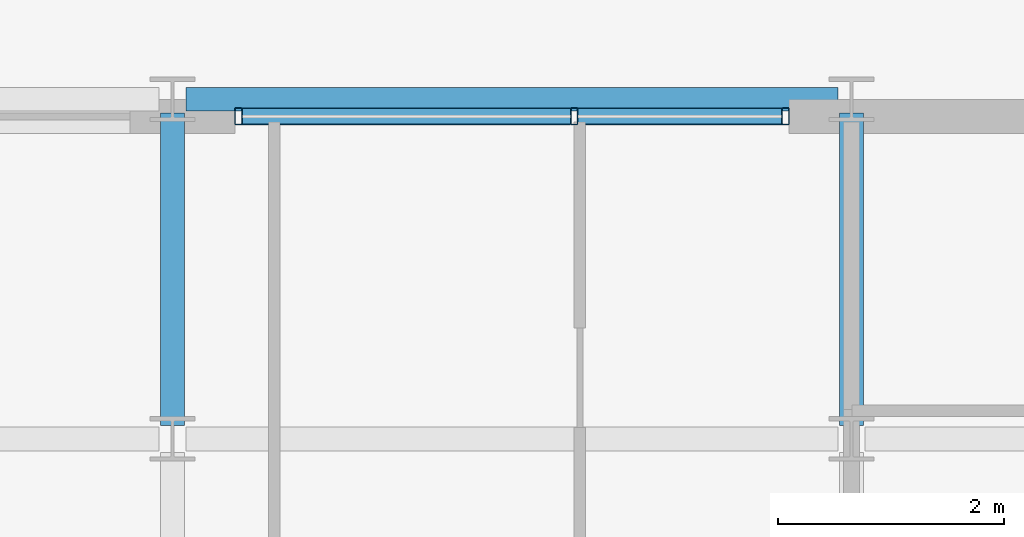
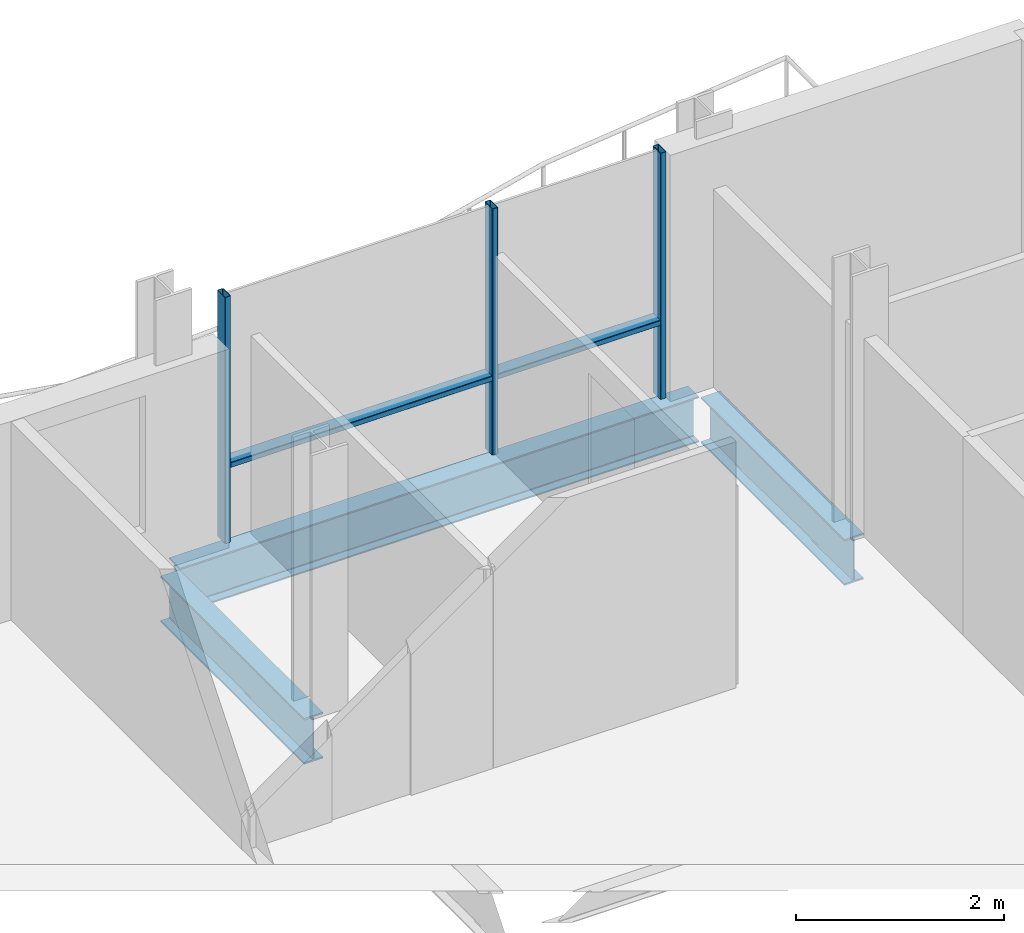
# One storey, part 13 of 29: 5 members, 3 beams, 1 element without a shape of its own.
"""IFC4 building model written with IfcOpenShell, lengths in metres."""

from ifc_helpers import new_model, si_unit, direction, frame, origin, origin_2d, place, context, subcontext, project, spatial, hollow_rectangle, i_section, extrude, material, layer, layer_set, material_profile, profile_set, type_object, element, aggregate, save


model = new_model("IFC4")

# Units and contexts
model_context = context("Model", 3, precision=1e-05, world=origin(), true_north=direction((0.0, 1.0)))
body_context = subcontext(model_context, "Body", "Model", "MODEL_VIEW")
ifc_project = project(units=[si_unit("LENGTHUNIT", "METRE"), si_unit("AREAUNIT", "SQUARE_METRE"), si_unit("VOLUMEUNIT", "CUBIC_METRE"), si_unit("PLANEANGLEUNIT", "RADIAN"), si_unit("MASSUNIT", "GRAM", prefix="KILO")], contexts=[model_context])

# Site, building, storey
site_placement = place(None, origin())
site = spatial("IfcSite", under=ifc_project, at=site_placement, CompositionType="ELEMENT")
building_placement = place(site_placement, origin())
building = spatial("IfcBuilding", under=site, at=building_placement, Name="Brevholm Reach", CompositionType="ELEMENT")
storey_placement = place(building_placement, frame((0.0, 0.0, 198.699951171875)))
storey = spatial("IfcBuildingStorey", under=building, at=storey_placement, Name="L60", CompositionType="ELEMENT", Elevation=198.699951171875)

# Beams
ifc_material_1 = material(Name="Structural Steel S355J2", Category="steel")
ifc_material_profile_1 = material_profile(ifc_material_1, i_section(OverallWidth=0.209228515625, OverallDepth=0.533203125, WebThickness=0.010009765625, FlangeThickness=0.015625, FilletRadius=0.0126953125, at=origin_2d()), Name="UKB 533x210x92")
ifc_profile_set_1 = profile_set([ifc_material_profile_1], Name="Structural Steel S355J2")
beam_type_1 = type_object("IfcBeamType", Name="BM-SP533", PredefinedType="SPANDREL", material=ifc_profile_set_1)
beam_placement = place(storey_placement, frame((48.1201171875, 26.5, -0.4765625), z_axis=(1.0, 0.0, 0.0), x_axis=(0.0, 1.0, 0.0)))
element("IfcBeam", 1, at=beam_placement, inside=storey, type_object=beam_type_1, Name="L60 SP-02 Framing Beam", PredefinedType="SPANDREL", context=body_context, shape_type="SweptSolid", body=[
    extrude(i_section(OverallWidth=0.209228515625, OverallDepth=0.533203125, WebThickness=0.010009765625, FlangeThickness=0.015625, FilletRadius=0.0126953125, at=origin_2d()), origin(), (0.0, 0.0, 1.0), 5.759765625),
])
ifc_material_2 = material(Name="Structural Steel S355J2", Category="steel")
ifc_material_profile_2 = material_profile(ifc_material_2, i_section(OverallWidth=0.210693359375, OverallDepth=0.53955078125, WebThickness=0.01171875, FlangeThickness=0.018798828125, FilletRadius=0.0126953125, at=origin_2d()), Name="UKB 533x210x109")
ifc_profile_set_2 = profile_set([ifc_material_profile_2], Name="Structural Steel S355J2")
beam_type_2 = type_object("IfcBeamType", Name="BM-SP539", PredefinedType="SPANDREL", material=ifc_profile_set_2)
for number, where, z_axis, x_axis, name in (
    (2, (48.0, 23.6201171875, -0.479736328125), (0.0, 1.0, 0.0), (-1.0, 0.0, 0.0), "L60 SP-01B Framing Beam"),
    (3, (54.0, 23.6201171875, -0.479736328125), (0.0, 1.0, 0.0), (-1.0, 0.0, 0.0), "L60 SP-01B Framing Beam"),
):
    element("IfcBeam", number, at=place(storey_placement, frame(where, z_axis=z_axis, x_axis=x_axis)), inside=storey, type_object=beam_type_2, Name=name, PredefinedType="SPANDREL", context=body_context, shape_type="SweptSolid", body=[
        extrude(i_section(OverallWidth=0.210693359375, OverallDepth=0.53955078125, WebThickness=0.01171875, FlangeThickness=0.018798828125, FilletRadius=0.0126953125, at=origin_2d()), origin(), (0.0, 0.0, 1.0), 2.759765625),
    ])

# Curtain wall, members
ifc_material_3 = material(Name="Dark Anodised Aluminium 6063-T6 and Solar-Control Glass", Category="aluminium")
ifc_layer = layer(ifc_material_3, 0.14990234375)
ifc_layer_set = layer_set([ifc_layer], Name="Dark Anodised Aluminium 6063-T6 and Solar-Control Glass")
curtain_wall_type = type_object("IfcCurtainWallType", Name="CW-01", PredefinedType="NOTDEFINED", material=ifc_layer_set)
curtain_wall_placement = place(storey_placement, origin())
curtain_wall = element("IfcCurtainWall", 4, at=curtain_wall_placement, inside=storey, type_object=curtain_wall_type, Name="L60 Curtain Wall CW-01", PredefinedType="NOTDEFINED")
ifc_material_4 = material(Name="Dark Anodised Aluminium 6063-T6", Category="aluminium")
ifc_material_profile_3 = material_profile(ifc_material_4, hollow_rectangle(XDim=0.06494140625, YDim=0.14990234375, WallThickness=0.0048828125, InnerFilletRadius=0.0048828125, OuterFilletRadius=0.010009765625, at=origin_2d()), Name="RHS 150x65x5")
ifc_profile_set_3 = profile_set([ifc_material_profile_3], Name="Dark Anodised Aluminium 6063-T6")
member_type_1 = type_object("IfcMemberType", Name="CWM-150", PredefinedType="MULLION", material=ifc_profile_set_3)
member_1_placement = place(storey_placement, frame((48.58251953125, 26.35009765625, 0.0), z_axis=(0.0, 0.0, 1.0), x_axis=(1.0, 0.0, 0.0)))
member_1 = element("IfcMember", 5, at=member_1_placement, type_object=member_type_1, Name="CM-150 Mullion 1", PredefinedType="MULLION", context=body_context, shape_type="SweptSolid", body=[
    extrude(hollow_rectangle(XDim=0.06494140625, YDim=0.14990234375, WallThickness=0.0048828125, InnerFilletRadius=0.0048828125, OuterFilletRadius=0.010009765625, at=origin_2d()), origin(), (0.0, 0.0, 1.0), 2.89013671875),
])
member_2_placement = place(storey_placement, frame((51.550048828125, 26.35009765625, 0.0), z_axis=(0.0, 0.0, 1.0), x_axis=(1.0, 0.0, 0.0)))
member_2 = element("IfcMember", 6, at=member_2_placement, type_object=member_type_1, Name="CM-150 Mullion 2", PredefinedType="MULLION", context=body_context, shape_type="SweptSolid", body=[
    extrude(hollow_rectangle(XDim=0.06494140625, YDim=0.14990234375, WallThickness=0.0048828125, InnerFilletRadius=0.0048828125, OuterFilletRadius=0.010009765625, at=origin_2d()), origin(), (0.0, 0.0, 1.0), 2.89013671875),
])
member_3_placement = place(storey_placement, frame((53.41748046875, 26.35009765625, 0.0), z_axis=(0.0, 0.0, 1.0), x_axis=(1.0, 0.0, 0.0)))
member_3 = element("IfcMember", 7, at=member_3_placement, type_object=member_type_1, Name="CM-150 Mullion 3", PredefinedType="MULLION", context=body_context, shape_type="SweptSolid", body=[
    extrude(hollow_rectangle(XDim=0.06494140625, YDim=0.14990234375, WallThickness=0.0048828125, InnerFilletRadius=0.0048828125, OuterFilletRadius=0.010009765625, at=origin_2d()), origin(), (0.0, 0.0, 1.0), 2.89013671875),
])
ifc_material_5 = material(Name="Dark Anodised Aluminium 6063-T6", Category="aluminium")
ifc_material_profile_4 = material_profile(ifc_material_5, hollow_rectangle(XDim=0.06494140625, YDim=0.14990234375, WallThickness=0.0048828125, InnerFilletRadius=0.0048828125, OuterFilletRadius=0.010009765625, at=origin_2d()), Name="RHS 150x65x5")
ifc_profile_set_4 = profile_set([ifc_material_profile_4], Name="Dark Anodised Aluminium 6063-T6")
member_type_2 = type_object("IfcMemberType", Name="CWT-150", PredefinedType="NOTDEFINED", material=ifc_profile_set_4)
member_4_placement = place(storey_placement, frame((48.614990234375, 26.35009765625, 0.900146484375), z_axis=(1.0, 0.0, 0.0), x_axis=(0.0, 0.0, 1.0)))
member_4 = element("IfcMember", 8, at=member_4_placement, type_object=member_type_2, Name="CT-150 Transom 1.1", ObjectType="TRANSOM", PredefinedType="USERDEFINED", context=body_context, shape_type="SweptSolid", body=[
    extrude(hollow_rectangle(XDim=0.06494140625, YDim=0.14990234375, WallThickness=0.0048828125, InnerFilletRadius=0.0048828125, OuterFilletRadius=0.010009765625, at=origin_2d()), origin(), (0.0, 0.0, 1.0), 2.902587890625),
])
member_5_placement = place(storey_placement, frame((51.58251953125, 26.35009765625, 0.900146484375), z_axis=(1.0, 0.0, 0.0), x_axis=(0.0, 0.0, 1.0)))
member_5 = element("IfcMember", 9, at=member_5_placement, type_object=member_type_2, Name="CT-150 Transom 2.1", ObjectType="TRANSOM", PredefinedType="USERDEFINED", context=body_context, shape_type="SweptSolid", body=[
    extrude(hollow_rectangle(XDim=0.06494140625, YDim=0.14990234375, WallThickness=0.0048828125, InnerFilletRadius=0.0048828125, OuterFilletRadius=0.010009765625, at=origin_2d()), origin(), (0.0, 0.0, 1.0), 1.802490234375),
])
aggregate(curtain_wall, [member_1, member_2, member_3, member_4, member_5])

save(model, "model.ifc")
